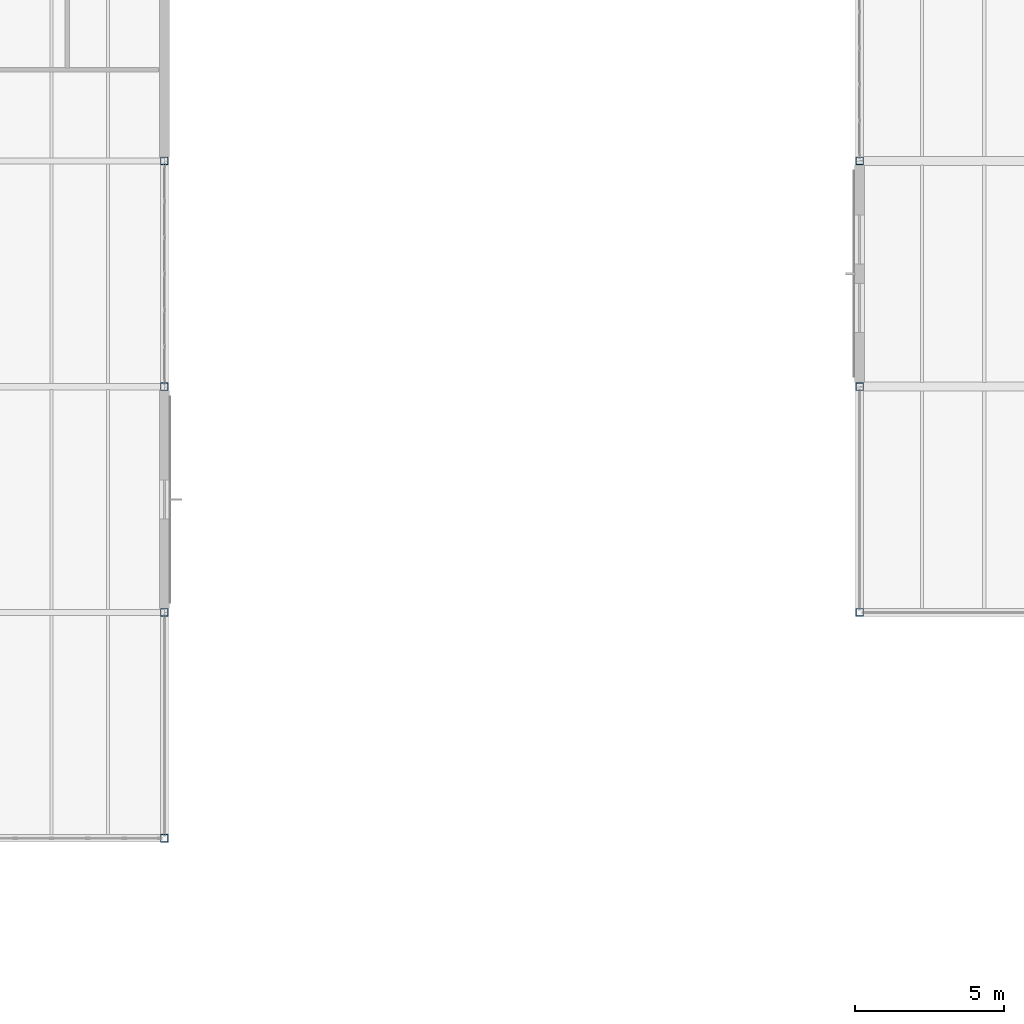
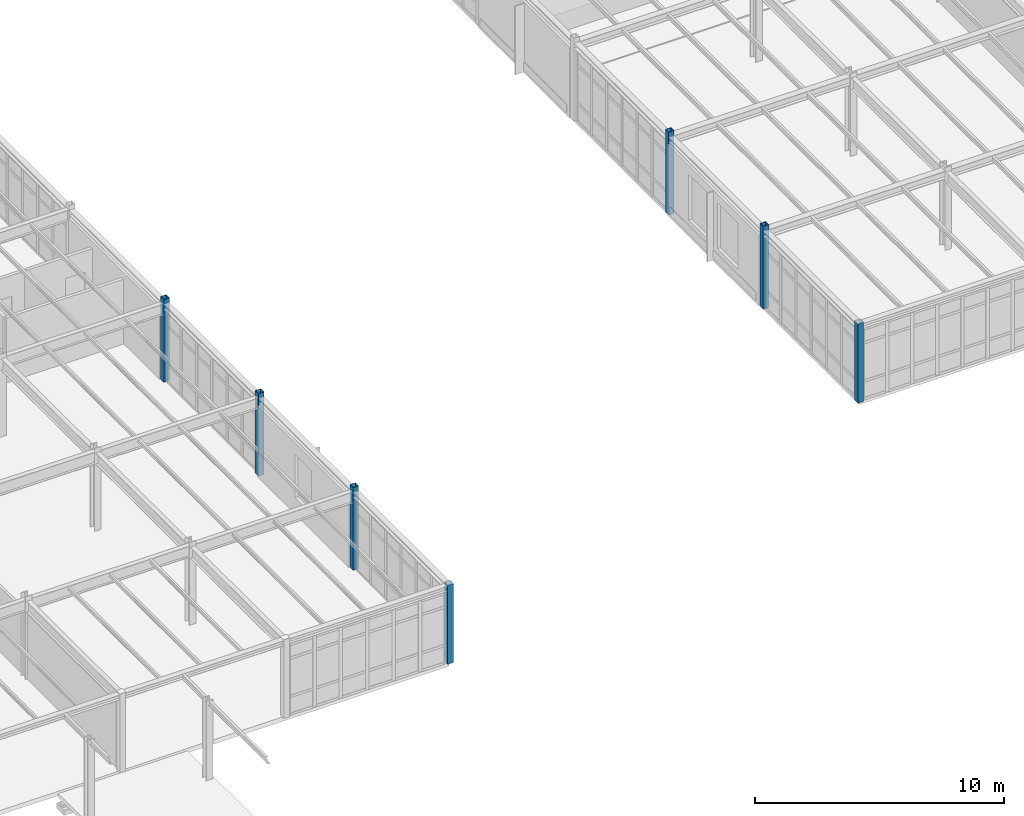
# One storey, part 10 of 189: 7 columns.
"""IFC4 building model written with IfcOpenShell, lengths in metres."""

from ifc_helpers import new_model, si_unit, direction, frame, origin, origin_2d, place, context, subcontext, project, spatial, hollow_rectangle, extrude, material, material_profile, profile_set, type_object, element, save


model = new_model("IFC4")

# Units and contexts
model_context = context("Model", 3, precision=1e-05, world=origin(), true_north=direction((0.0, 1.0)))
body_context = subcontext(model_context, "Body", "Model", "MODEL_VIEW")
ifc_project = project(units=[si_unit("LENGTHUNIT", "METRE"), si_unit("AREAUNIT", "SQUARE_METRE"), si_unit("VOLUMEUNIT", "CUBIC_METRE"), si_unit("PLANEANGLEUNIT", "RADIAN"), si_unit("MASSUNIT", "GRAM", prefix="KILO")], contexts=[model_context])

# Site, building, storey
site_placement = place(None, origin())
site = spatial("IfcSite", under=ifc_project, at=site_placement, CompositionType="ELEMENT")
building_placement = place(site_placement, origin())
building = spatial("IfcBuilding", under=site, at=building_placement, Name="Montecoro Central Library", CompositionType="ELEMENT")
storey_placement = place(building_placement, frame((0.0, 0.0, 9.179931640625)))
storey = spatial("IfcBuildingStorey", under=building, at=storey_placement, Name="L02", CompositionType="ELEMENT", Elevation=9.179931640625)

# Columns
ifc_material = material(Name="Steel S355", Category="steel")
ifc_material_profile = material_profile(ifc_material, hollow_rectangle(XDim=0.260009765625, YDim=0.260009765625, WallThickness=0.012451171875, at=origin_2d()), Name="SHS 260x260x12.5")
ifc_profile_set = profile_set([ifc_material_profile], Name="Steel S355")
column_type = type_object("IfcColumnType", Name="COL-SHS260", PredefinedType="COLUMN", material=ifc_profile_set)
column_1_placement = place(storey_placement, frame((66.39990234375, 81.0, 0.0), z_axis=(0.0, 0.0, 1.0), x_axis=(1.0, 0.0, 0.0)))
element("IfcColumn", 1, at=column_1_placement, inside=storey, type_object=column_type, Name="V2-L02-COL-9-L", PredefinedType="COLUMN", context=body_context, shape_type="SweptSolid", body=[
    extrude(hollow_rectangle(XDim=0.260009765625, YDim=0.260009765625, WallThickness=0.012451171875, at=origin_2d()), origin(), (0.0, 0.0, 1.0), 3.875),
])
for number, where, z_axis, x_axis, name in (
    (2, (66.39990234375, 88.60009765625, 0.0), (0.0, 0.0, 1.0), (1.0, 0.0, 0.0), "V2-L02-COL-9-M"),
    (3, (66.39990234375, 96.199951171875, 0.0), (0.0, 0.0, 1.0), (1.0, 0.0, 0.0), "V2-L02-COL-9-N"),
):
    element("IfcColumn", number, at=place(storey_placement, frame(where, z_axis=z_axis, x_axis=x_axis)), inside=storey, type_object=column_type, Name=name, PredefinedType="COLUMN", context=body_context, shape_type="SweptSolid", body=[
        extrude(hollow_rectangle(XDim=0.260009765625, YDim=0.260009765625, WallThickness=0.012451171875, at=origin_2d()), origin(), (0.0, 0.0, 1.0), 4.05517578125),
    ])
column_2_placement = place(storey_placement, frame((43.0, 73.39990234375, 0.0), z_axis=(0.0, 0.0, 1.0), x_axis=(1.0, 0.0, 0.0)))
element("IfcColumn", 4, at=column_2_placement, inside=storey, type_object=column_type, Name="V4-L02-COL-6-K", PredefinedType="COLUMN", context=body_context, shape_type="SweptSolid", body=[
    extrude(hollow_rectangle(XDim=0.260009765625, YDim=0.260009765625, WallThickness=0.012451171875, at=origin_2d()), origin(), (0.0, 0.0, 1.0), 3.864990234375),
])
for number, where, z_axis, x_axis, name in (
    (5, (43.0, 81.0, 0.0), (0.0, 0.0, 1.0), (1.0, 0.0, 0.0), "V4-L02-COL-6-L"),
    (6, (43.0, 88.60009765625, 0.0), (0.0, 0.0, 1.0), (1.0, 0.0, 0.0), "V4-L02-COL-6-M"),
    (7, (43.0, 96.199951171875, 0.0), (0.0, 0.0, 1.0), (1.0, 0.0, 0.0), "V4-L02-COL-6-N"),
):
    element("IfcColumn", number, at=place(storey_placement, frame(where, z_axis=z_axis, x_axis=x_axis)), inside=storey, type_object=column_type, Name=name, PredefinedType="COLUMN", context=body_context, shape_type="SweptSolid", body=[
        extrude(hollow_rectangle(XDim=0.260009765625, YDim=0.260009765625, WallThickness=0.012451171875, at=origin_2d()), origin(), (0.0, 0.0, 1.0), 4.05517578125),
    ])

save(model, "model.ifc")
